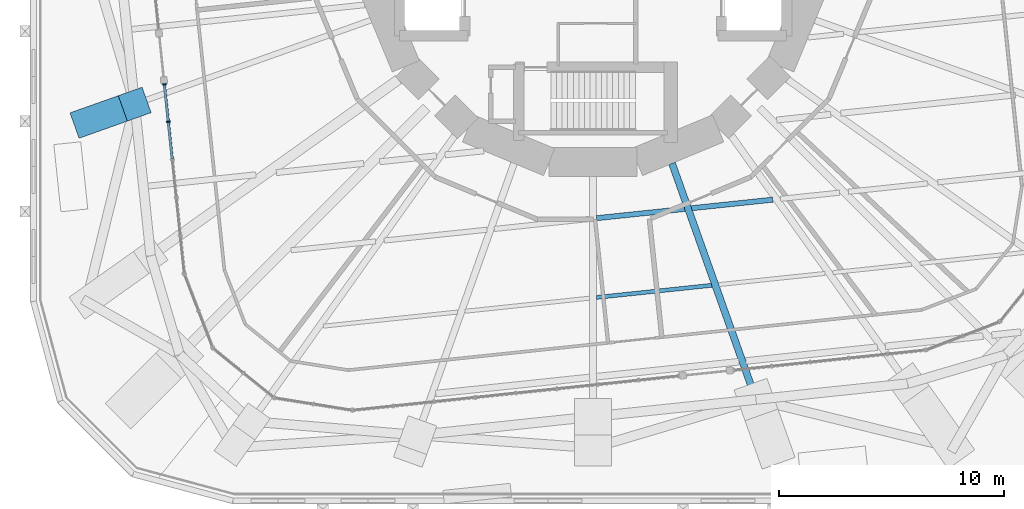
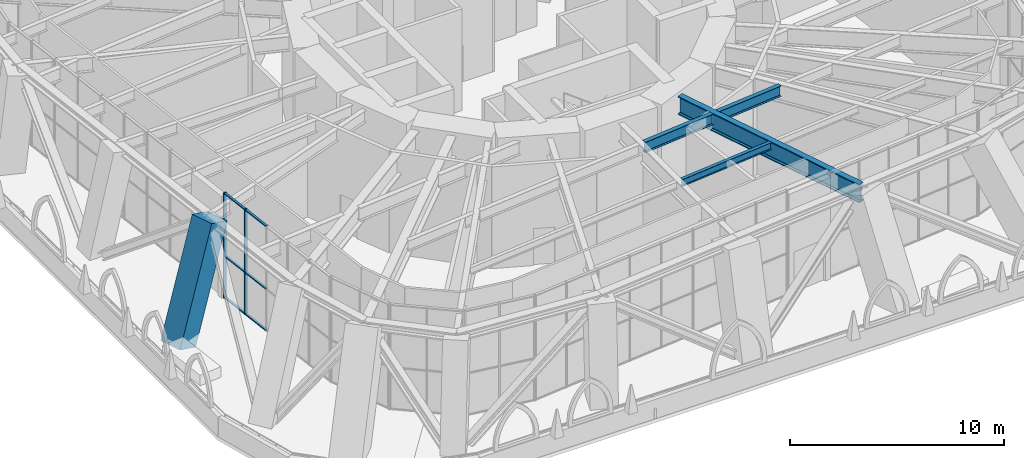
# One storey, part 3 of 20: 9 members, 4 beams, 1 element without a shape of its own.
"""IFC4 building model written with IfcOpenShell, lengths in metres."""

from ifc_helpers import new_model, si_unit, direction, frame, origin, origin_2d, place, context, subcontext, project, spatial, rectangle, i_section, extrude, material, material_profile, profile_set, type_object, element, aggregate, save


model = new_model("IFC4")

# Units and contexts
model_context = context("Model", 3, precision=1e-05, world=origin(), true_north=direction((0.0, 1.0)))
body_context = subcontext(model_context, "Body", "Model", "MODEL_VIEW")
ifc_project = project(units=[si_unit("LENGTHUNIT", "METRE"), si_unit("AREAUNIT", "SQUARE_METRE"), si_unit("VOLUMEUNIT", "CUBIC_METRE"), si_unit("PLANEANGLEUNIT", "RADIAN"), si_unit("MASSUNIT", "GRAM", prefix="KILO")], contexts=[model_context])

# Site, building, storey
site_placement = place(None, origin())
site = spatial("IfcSite", under=ifc_project, at=site_placement, CompositionType="ELEMENT")
building_placement = place(site_placement, origin())
building = spatial("IfcBuilding", under=site, at=building_placement, Name="Nakasero Lantern House", CompositionType="ELEMENT")
storey_placement = place(building_placement, frame((0.0, 0.0, 54.5)))
storey = spatial("IfcBuildingStorey", under=building, at=storey_placement, Name="L13", CompositionType="ELEMENT", Elevation=54.5)

# Beams
ifc_material_1 = material(Name="Steel S355", Category="steel")
ifc_material_profile_1 = material_profile(ifc_material_1, i_section(OverallWidth=0.177978515625, OverallDepth=0.406494140625, WebThickness=0.0078125, FlangeThickness=0.0126953125, FilletRadius=0.01025390625, at=origin_2d()), Name="UB 406x178x60")
ifc_profile_set_1 = profile_set([ifc_material_profile_1], Name="Steel S355")
beam_type_1 = type_object("IfcBeamType", Name="Infill beam UB 406x178x60", PredefinedType="JOIST", material=ifc_profile_set_1)
beam_1_placement = place(storey_placement, frame((0.152587890625, -15.82080078125, 5.5966796875), z_axis=(0.994517924238, 0.104566239148, 0.0), x_axis=(-0.104566239148, 0.994517924238, 0.0)))
element("IfcBeam", 1, at=beam_1_placement, inside=storey, type_object=beam_type_1, Name="Infill beam L14 03.3", PredefinedType="JOIST", context=body_context, shape_type="SweptSolid", body=[
    extrude(i_section(OverallWidth=0.177978515625, OverallDepth=0.406494140625, WebThickness=0.0078125, FlangeThickness=0.0126953125, FilletRadius=0.01025390625, at=origin_2d()), origin(), (0.0, 0.0, 1.0), 5.14599609375),
])
ifc_material_2 = material(Name="Steel S355", Category="steel")
ifc_material_profile_2 = material_profile(ifc_material_2, i_section(OverallWidth=0.22900390625, OverallDepth=0.6123046875, WebThickness=0.011962890625, FlangeThickness=0.01953125, FilletRadius=0.0126953125, at=origin_2d()), Name="UB 610x229x125")
ifc_profile_set_2 = profile_set([ifc_material_profile_2], Name="Steel S355")
beam_type_2 = type_object("IfcBeamType", Name="Infill beam UB 610x229x125", PredefinedType="JOIST", material=ifc_profile_set_2)
beam_2_placement = place(storey_placement, frame((0.152587890625, -12.301513671875, 5.493896484375), z_axis=(0.99452108839, 0.104536140868, 0.0), x_axis=(-0.104536140868, 0.99452108839, 0.0)))
element("IfcBeam", 2, at=beam_2_placement, inside=storey, type_object=beam_type_2, Name="Infill beam L14 04.4", PredefinedType="JOIST", context=body_context, shape_type="SweptSolid", body=[
    extrude(i_section(OverallWidth=0.22900390625, OverallDepth=0.6123046875, WebThickness=0.011962890625, FlangeThickness=0.01953125, FilletRadius=0.0126953125, at=origin_2d()), origin(), (0.0, 0.0, 1.0), 3.932861328125),
])
beam_3_placement = place(storey_placement, frame((4.379638671875, -11.857177734375, 5.493896484375), z_axis=(0.994524314747, 0.10450544185, 0.0), x_axis=(-0.10450544185, 0.994524314747, 0.0)))
element("IfcBeam", 3, at=beam_3_placement, inside=storey, type_object=beam_type_2, Name="Infill beam L14 04.5", PredefinedType="JOIST", context=body_context, shape_type="SweptSolid", body=[
    extrude(i_section(OverallWidth=0.22900390625, OverallDepth=0.6123046875, WebThickness=0.011962890625, FlangeThickness=0.01953125, FilletRadius=0.0126953125, at=origin_2d()), origin(), (0.0, 0.0, 1.0), 3.614013671875),
])

# Curtain wall, members
ifc_material_3 = material(Name="Aluminium 6063-T6 and glass", Category="aluminium")
curtain_wall_type = type_object("IfcCurtainWallType", Name="Sky lounge glazing CW-3", PredefinedType="USERDEFINED", material=ifc_material_3)
curtain_wall_placement = place(storey_placement, origin())
curtain_wall = element("IfcCurtainWall", 4, at=curtain_wall_placement, inside=storey, type_object=curtain_wall_type, Name="Curtain wall CW-3 L13", ObjectType="STICK CURTAIN WALL", PredefinedType="USERDEFINED")
ifc_material_4 = material(Name="Aluminium 6063-T6", Category="aluminium")
ifc_material_profile_3 = material_profile(ifc_material_4, rectangle(XDim=0.06005859375, YDim=0.159912109375, at=origin_2d()), Name="CW-3 mullion 60x160")
ifc_profile_set_3 = profile_set([ifc_material_profile_3], Name="Aluminium 6063-T6")
member_type_1 = type_object("IfcMemberType", Name="Mullion CW-3", PredefinedType="MULLION", material=ifc_profile_set_3)
member_1_placement = place(storey_placement, frame((-19.0390625, -6.35498046875, 0.0), z_axis=(0.0, 0.0, 1.0), x_axis=(0.104528463268, -0.994521895368, 0.0)))
member_1 = element("IfcMember", 5, at=member_1_placement, type_object=member_type_1, Name="CW-3 mullion 1", PredefinedType="MULLION", context=body_context, shape_type="SweptSolid", body=[
    extrude(rectangle(XDim=0.06005859375, YDim=0.159912109375, at=origin_2d()), origin(), (0.0, 0.0, 1.0), 6.0),
])
member_2_placement = place(storey_placement, frame((-18.864501953125, -8.015869140625, 0.0), z_axis=(0.0, 0.0, 1.0), x_axis=(0.104528463268, -0.994521895368, 0.0)))
member_2 = element("IfcMember", 6, at=member_2_placement, type_object=member_type_1, Name="CW-3 mullion 2", PredefinedType="MULLION", context=body_context, shape_type="SweptSolid", body=[
    extrude(rectangle(XDim=0.06005859375, YDim=0.159912109375, at=origin_2d()), origin(), (0.0, 0.0, 1.0), 6.0),
])

# Beam
ifc_material_5 = material(Name="Steel S355", Category="steel")
ifc_material_profile_4 = material_profile(ifc_material_5, i_section(OverallWidth=0.30859375, OverallDepth=1.036376953125, WebThickness=0.030029296875, FlangeThickness=0.05419921875, FilletRadius=0.030029296875, at=origin_2d()), Name="UB 1016x305x487")
ifc_profile_set_4 = profile_set([ifc_material_profile_4], Name="Steel S355")
beam_type_3 = type_object("IfcBeamType", Name="Primary beam UB 1016x305x487, span 9 to 12 m", PredefinedType="BEAM", material=ifc_profile_set_4)
beam_4_placement = place(storey_placement, frame((7.2373046875, -20.35498046875, 5.28173828125), z_axis=(-0.335009234979, 0.942214844119, 0.0), x_axis=(-0.942214844119, -0.335009234979, 0.0)))
element("IfcBeam", 7, at=beam_4_placement, inside=storey, type_object=beam_type_3, Name="Primary beam L14 B2-C22T", PredefinedType="BEAM", context=body_context, shape_type="SweptSolid", body=[
    extrude(i_section(OverallWidth=0.30859375, OverallDepth=1.036376953125, WebThickness=0.030029296875, FlangeThickness=0.05419921875, FilletRadius=0.030029296875, at=origin_2d()), origin(), (0.0, 0.0, 1.0), 11.1318359375),
])

# Member
ifc_material_6 = material(Name="Concrete C50/60", Category="concrete")
ifc_material_profile_5 = material_profile(ifc_material_6, rectangle(XDim=1.199951171875, YDim=1.199951171875, at=origin_2d()), Name="RC 1200x1200")
ifc_profile_set_5 = profile_set([ifc_material_profile_5], Name="Concrete C50/60")
member_type_2 = type_object("IfcMemberType", Name="Raking column RC 1200x1200 C50/60", PredefinedType="STRUT", material=ifc_profile_set_5)
member_3_placement = place(storey_placement, frame((-22.5, -8.0, -0.437255859375), z_axis=(0.334251409573, 0.118848327283, 0.934960464565), x_axis=(-0.335018130255, 0.942211681312, 0.0)))
element("IfcMember", 8, at=member_3_placement, inside=storey, type_object=member_type_2, Name="Raking column B2-C16T L13", PredefinedType="STRUT", context=body_context, shape_type="SweptSolid", body=[
    extrude(rectangle(XDim=1.199951171875, YDim=1.199951171875, at=origin_2d()), origin(), (0.0, 0.0, 1.0), 6.41748046875),
])

ifc_material_7 = material(Name="Aluminium 6063-T6", Category="aluminium")
ifc_material_profile_6 = material_profile(ifc_material_7, rectangle(XDim=0.06005859375, YDim=0.1201171875, at=origin_2d()), Name="CW-3 transom 60x120")
ifc_profile_set_6 = profile_set([ifc_material_profile_6], Name="Aluminium 6063-T6")
member_type_3 = type_object("IfcMemberType", Name="Transom CW-3", PredefinedType="USERDEFINED", material=ifc_profile_set_6)
member_4_placement = place(storey_placement, frame((-19.035888671875, -6.384765625, 0.030029296875), z_axis=(0.104487428624, -0.994526207427, 0.0), x_axis=(0.0, 0.0, 1.0)))
member_4 = element("IfcMember", 9, at=member_4_placement, type_object=member_type_3, Name="CW-3 transom 1.1", ObjectType="TRANSOM", PredefinedType="USERDEFINED", context=body_context, shape_type="SweptSolid", body=[
    extrude(rectangle(XDim=0.06005859375, YDim=0.1201171875, at=origin_2d()), origin(), (0.0, 0.0, 1.0), 1.60986328125),
])

member_5_placement = place(storey_placement, frame((-19.035888671875, -6.384765625, 2.39990234375), z_axis=(0.104487428624, -0.994526207427, 0.0), x_axis=(0.0, 0.0, 1.0)))
member_5 = element("IfcMember", 10, at=member_5_placement, type_object=member_type_3, Name="CW-3 transom 1.2", ObjectType="TRANSOM", PredefinedType="USERDEFINED", context=body_context, shape_type="SweptSolid", body=[
    extrude(rectangle(XDim=0.06005859375, YDim=0.1201171875, at=origin_2d()), origin(), (0.0, 0.0, 1.0), 1.60986328125),
])

member_6_placement = place(storey_placement, frame((-19.035888671875, -6.384765625, 5.969970703125), z_axis=(0.104487428624, -0.994526207427, 0.0), x_axis=(0.0, 0.0, 1.0)))
member_6 = element("IfcMember", 11, at=member_6_placement, type_object=member_type_3, Name="CW-3 transom 1.3", ObjectType="TRANSOM", PredefinedType="USERDEFINED", context=body_context, shape_type="SweptSolid", body=[
    extrude(rectangle(XDim=0.06005859375, YDim=0.1201171875, at=origin_2d()), origin(), (0.0, 0.0, 1.0), 1.60986328125),
])

member_7_placement = place(storey_placement, frame((-18.861328125, -8.045654296875, 0.030029296875), z_axis=(0.104498811264, -0.994525011473, 0.0), x_axis=(0.0, 0.0, 1.0)))
member_7 = element("IfcMember", 12, at=member_7_placement, type_object=member_type_3, Name="CW-3 transom 2.1", ObjectType="TRANSOM", PredefinedType="USERDEFINED", context=body_context, shape_type="SweptSolid", body=[
    extrude(rectangle(XDim=0.06005859375, YDim=0.1201171875, at=origin_2d()), origin(), (0.0, 0.0, 1.0), 1.64013671875),
])

member_8_placement = place(storey_placement, frame((-18.861328125, -8.045654296875, 2.39990234375), z_axis=(0.104498811264, -0.994525011473, 0.0), x_axis=(0.0, 0.0, 1.0)))
member_8 = element("IfcMember", 13, at=member_8_placement, type_object=member_type_3, Name="CW-3 transom 2.2", ObjectType="TRANSOM", PredefinedType="USERDEFINED", context=body_context, shape_type="SweptSolid", body=[
    extrude(rectangle(XDim=0.06005859375, YDim=0.1201171875, at=origin_2d()), origin(), (0.0, 0.0, 1.0), 1.64013671875),
])

member_9_placement = place(storey_placement, frame((-18.861328125, -8.045654296875, 5.969970703125), z_axis=(0.104498811264, -0.994525011473, 0.0), x_axis=(0.0, 0.0, 1.0)))
member_9 = element("IfcMember", 14, at=member_9_placement, type_object=member_type_3, Name="CW-3 transom 2.3", ObjectType="TRANSOM", PredefinedType="USERDEFINED", context=body_context, shape_type="SweptSolid", body=[
    extrude(rectangle(XDim=0.06005859375, YDim=0.1201171875, at=origin_2d()), origin(), (0.0, 0.0, 1.0), 1.64013671875),
])

aggregate(curtain_wall, [member_1, member_2, member_4, member_5, member_6, member_7, member_8, member_9])

save(model, "model.ifc")
